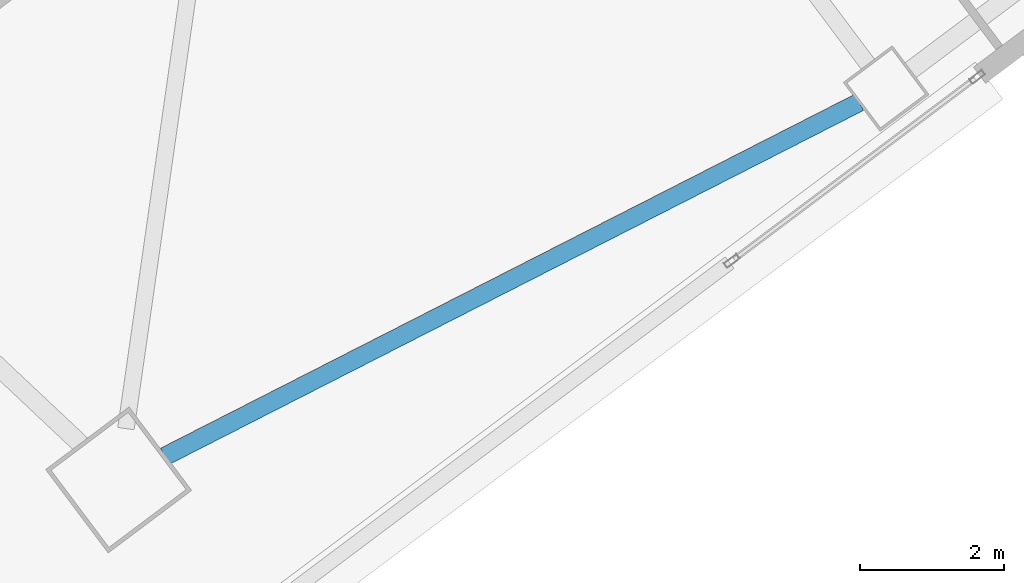
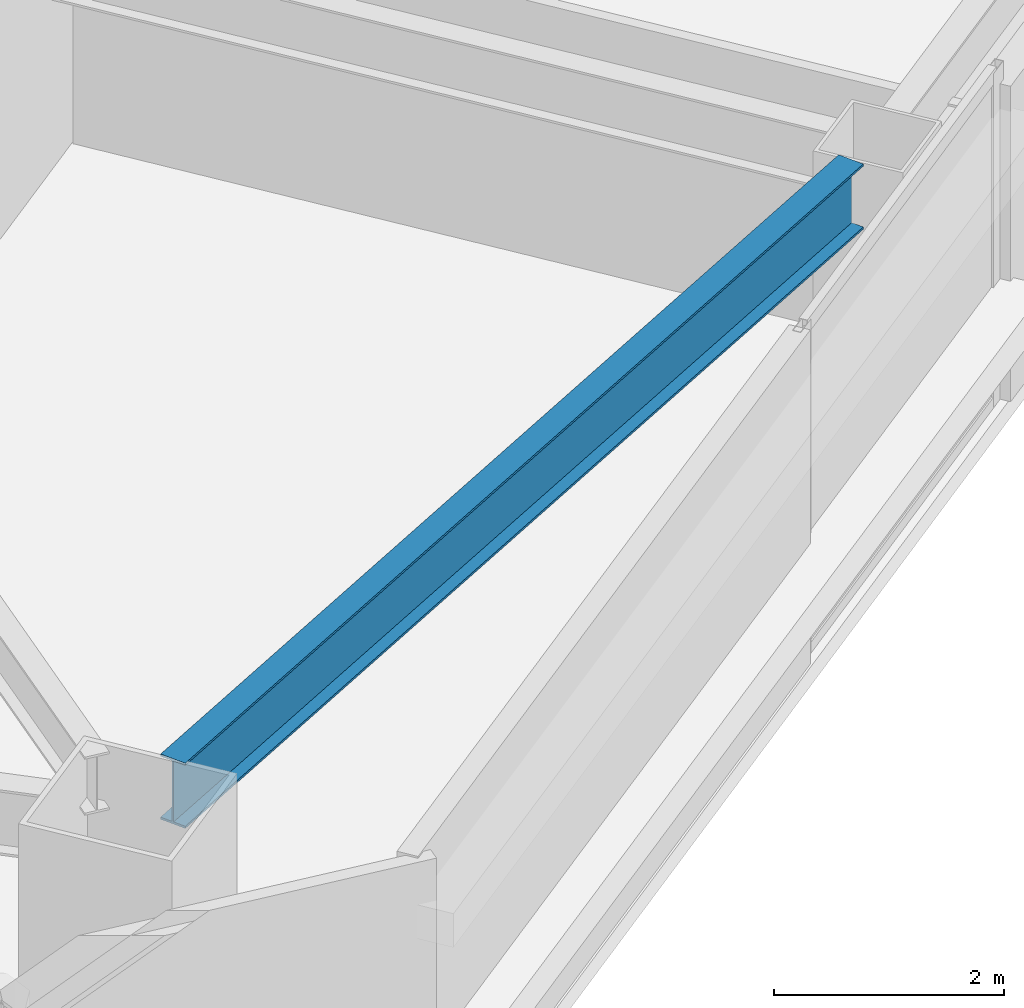
# One storey, part 21 of 48: 1 beam.
"""IFC4 building model written with IfcOpenShell, lengths in metres."""

import ifcopenshell
import ifcopenshell.guid

model = None  # the IFC model being written
_history = None  # IfcOwnerHistory: only IFC2X3 demands one
_inside = {}  # id of a spatial element -> (the spatial element, [elements in it])
_under = {}  # id of a project, library or spatial element -> (it, [spatial elements below it])
_declared = {}  # id of a project -> (the project, [libraries it declares])
_typed = {}  # id of a type object -> (the type object, [elements of that type])
_made_of = {}  # id of a material, layer set ... -> (it, [elements and type objects made of it])


def new_model(schema):
    """Start an empty IFC model of exactly this schema.

    Asked for "IFC4X3", IfcOpenShell would pick the latest addendum, in which some entities
    have other attributes; the version numbers below select the first issue.
    IFC2X3 requires an IfcOwnerHistory on every rooted entity: one is made here for all.
    """
    global model, _history
    if schema == "IFC4X3":
        model = ifcopenshell.file(schema_version=(4, 3, 0, 0))
    else:
        model = ifcopenshell.file(schema=schema)
    _inside.clear()
    _under.clear()
    _declared.clear()
    _typed.clear()
    _made_of.clear()
    _history = None
    if model.schema == "IFC2X3":
        org = make("IfcOrganization", Name="unknown")
        user = make(
            "IfcPersonAndOrganization",
            ThePerson=make("IfcPerson", FamilyName="unknown"),
            TheOrganization=org,
        )
        app = make(
            "IfcApplication",
            ApplicationDeveloper=org,
            Version="unknown",
            ApplicationFullName="unknown",
            ApplicationIdentifier="unknown",
        )
        _history = make(
            "IfcOwnerHistory",
            OwningUser=user,
            OwningApplication=app,
            ChangeAction="ADDED",
            CreationDate=0,
        )
    return model


def make(cls, **values):
    """One entity of the class cls with the attributes given. An attribute that is None is left unset."""
    return model.create_entity(
        cls, **{name: value for name, value in values.items() if value is not None}
    )


def rooted(cls, **values):
    """An entity with a GlobalId (a new one), such as an element, a storey or a relation."""
    return make(cls, GlobalId=ifcopenshell.guid.new(), OwnerHistory=_history, **values)


def si_unit(unit_type, name, prefix=None):
    """IfcSIUnit, for example si_unit("LENGTHUNIT", "METRE", prefix="MILLI")."""
    return make("IfcSIUnit", UnitType=unit_type, Prefix=prefix, Name=name)


def assignment(units):
    """IfcUnitAssignment: the units of a project."""
    return None if units is None else make("IfcUnitAssignment", Units=units)


def point(xyz):
    """IfcCartesianPoint."""
    return None if xyz is None else make("IfcCartesianPoint", Coordinates=xyz)


def direction(xyz):
    """IfcDirection."""
    return None if xyz is None else make("IfcDirection", DirectionRatios=xyz)


def frame(location, z_axis=None, x_axis=None):
    """IfcAxis2Placement3D, a coordinate frame: its origin and axes. An axis left out is left unset."""
    return make(
        "IfcAxis2Placement3D",
        Location=point(location),
        Axis=direction(z_axis),
        RefDirection=direction(x_axis),
    )


def frame_2d(location, x_axis=None):
    """IfcAxis2Placement2D, a coordinate frame in the plane: its origin and x axis."""
    return make(
        "IfcAxis2Placement2D", Location=point(location), RefDirection=direction(x_axis)
    )


def origin():
    """The frame at (0, 0, 0) with its axes left unset."""
    return frame((0.0, 0.0, 0.0))


def origin_2d():
    """The frame at (0, 0) in the plane with its x axis left unset."""
    return frame_2d((0.0, 0.0))


def place(relative_to, where):
    """IfcLocalPlacement: puts the frame where relative to a parent placement (None: the world)."""
    return make(
        "IfcLocalPlacement", PlacementRelTo=relative_to, RelativePlacement=where
    )


def context(
    kind, dimensions, precision=None, world=None, true_north=None, identifier=None
):
    """IfcGeometricRepresentationContext, for example the 3D "Model" context."""
    return make(
        "IfcGeometricRepresentationContext",
        ContextIdentifier=identifier,
        ContextType=kind,
        CoordinateSpaceDimension=dimensions,
        Precision=precision,
        WorldCoordinateSystem=world,
        TrueNorth=true_north,
    )


def subcontext(parent, identifier, kind, view, scale=None):
    """IfcGeometricRepresentationSubContext, for example "Body" below "Model"."""
    return make(
        "IfcGeometricRepresentationSubContext",
        ContextIdentifier=identifier,
        ContextType=kind,
        ParentContext=parent,
        TargetScale=scale,
        TargetView=view,
    )


def project(units=None, contexts=None):
    """IfcProject with its units and contexts."""
    return rooted(
        "IfcProject",
        Name="project",
        RepresentationContexts=contexts,
        UnitsInContext=assignment(units),
    )


def spatial(cls, under=None, at=None, **own):
    """A site, building, storey or space (cls), placed at a placement, below another one or the project."""
    s = rooted(cls, ObjectPlacement=at, **own)
    if under is not None:
        _under.setdefault(under.id(), (under, []))[1].append(s)
    return s


def profile(cls, at=None, kind="AREA", **sizes):
    """A parametric profile (cls). Its sizes go by their IFC names, for example OverallWidth=200.0."""
    return make(cls, ProfileType=kind, Position=at, **sizes)


def i_section(**sizes):
    """IfcIShapeProfileDef."""
    return profile("IfcIShapeProfileDef", **sizes)


def extrude(swept, where, along, depth):
    """IfcExtrudedAreaSolid: the profile swept, set in the frame where, extruded along a direction by depth."""
    return make(
        "IfcExtrudedAreaSolid",
        SweptArea=swept,
        Position=where,
        ExtrudedDirection=direction(along),
        Depth=depth,
    )


def shape(context_of_items, identifier, shape_type, items):
    """IfcShapeRepresentation: the items that make up one representation, for example the "Body"."""
    return make(
        "IfcShapeRepresentation",
        ContextOfItems=context_of_items,
        RepresentationIdentifier=identifier,
        RepresentationType=shape_type,
        Items=items,
    )


def material(Name=None, Category=None):
    """IfcMaterial."""
    return make("IfcMaterial", Name=Name, Category=Category)


def material_profile(
    of_material, cross_section, Name=None, Category=None, Priority=None
):
    """IfcMaterialProfile: a cross section and its material."""
    return make(
        "IfcMaterialProfile",
        Name=Name,
        Material=of_material,
        Profile=cross_section,
        Priority=Priority,
        Category=Category,
    )


def profile_set(profiles, Name=None, composite=None):
    """IfcMaterialProfileSet."""
    return make(
        "IfcMaterialProfileSet",
        Name=Name,
        MaterialProfiles=profiles,
        CompositeProfile=composite,
    )


def made_of(thing, what):
    """Note that an element or type object is made of a material, layer set ...; save() writes the relation."""
    if what is not None:
        _made_of.setdefault(what.id(), (what, []))[1].append(thing)
    return thing


def type_object(cls, material=None, **own):
    """A type object (cls), such as IfcWallType, which elements share."""
    return made_of(rooted(cls, **own), material)


def element(
    cls,
    number,
    at=None,
    inside=None,
    cuts=None,
    type_object=None,
    material=None,
    context=None,
    identifier="Body",
    shape_type=None,
    held_by="IfcProductDefinitionShape",
    body=None,
    shapes=None,
    **own,
):
    """One element of the class cls, such as IfcWall. Its Tag is "e" and its number.

    at: its placement. inside: the storey or other place that contains it. cuts: it is an
    opening in that element (IfcRelVoidsElement). A single representation is given by context,
    identifier, shape_type and body (its items); several are given by shapes. held_by: the class
    of the entity that holds the representations. save() writes the other relations.
    """
    e = rooted(cls, Tag="e%d" % number, ObjectPlacement=at, **own)
    if body is not None:
        shapes = [shape(context, identifier, shape_type, body)]
    if shapes is not None:
        e.Representation = make(held_by, Representations=shapes)
    if inside is not None:
        _inside.setdefault(inside.id(), (inside, []))[1].append(e)
    if cuts is not None:
        rooted(
            "IfcRelVoidsElement", RelatingBuildingElement=cuts, RelatedOpeningElement=e
        )
    if type_object is not None:
        _typed.setdefault(type_object.id(), (type_object, []))[1].append(e)
    return made_of(e, material)


def aggregate(whole, parts):
    """IfcRelAggregates: a whole, such as a stair, and the parts it consists of."""
    return rooted("IfcRelAggregates", RelatingObject=whole, RelatedObjects=parts)


def save(model, path):
    """Write the relations noted so far, then the file.

    IfcRelAggregates (storeys below a building ...), IfcRelContainedInSpatialStructure (elements
    in a storey), IfcRelDefinesByType, IfcRelAssociatesMaterial and IfcRelDeclares: one each for
    every whole, place, type object, material and project.
    """
    for whole, parts in _under.values():
        aggregate(whole, parts)
    for where, things in _inside.values():
        rooted(
            "IfcRelContainedInSpatialStructure",
            RelatedElements=things,
            RelatingStructure=where,
        )
    for kind, things in _typed.values():
        rooted("IfcRelDefinesByType", RelatedObjects=things, RelatingType=kind)
    for what, things in _made_of.values():
        rooted("IfcRelAssociatesMaterial", RelatedObjects=things, RelatingMaterial=what)
    for by, libraries in _declared.values():
        rooted("IfcRelDeclares", RelatingContext=by, RelatedDefinitions=libraries)
    model.write(path)


model = new_model("IFC4")

# Units and contexts
model_context = context("Model", 3, precision=1e-05, world=origin(), true_north=direction((0.0, 1.0)))
body_context = subcontext(model_context, "Body", "Model", "MODEL_VIEW")
ifc_project = project(units=[si_unit("LENGTHUNIT", "METRE"), si_unit("AREAUNIT", "SQUARE_METRE"), si_unit("VOLUMEUNIT", "CUBIC_METRE"), si_unit("PLANEANGLEUNIT", "RADIAN"), si_unit("MASSUNIT", "GRAM", prefix="KILO")], contexts=[model_context])

# Site, building, storey
site_placement = place(None, origin())
site = spatial("IfcSite", under=ifc_project, at=site_placement, CompositionType="ELEMENT")
building_placement = place(site_placement, origin())
building = spatial("IfcBuilding", under=site, at=building_placement, Name="Tashvorn Skyway Center", CompositionType="ELEMENT")
storey_placement = place(building_placement, frame((0.0, 0.0, 77.85009765625)))
storey = spatial("IfcBuildingStorey", under=building, at=storey_placement, Name="L20", CompositionType="ELEMENT", Elevation=77.85009765625)

# Beam
ifc_material = material(Name="Steel ASTM A992 Grade 50", Category="steel")
ifc_material_profile = material_profile(ifc_material, i_section(OverallWidth=0.256103515625, OverallDepth=0.693115234375, WebThickness=0.014404296875, FlangeThickness=0.023681640625, at=origin_2d()), Name="W27X114")
ifc_profile_set = profile_set([ifc_material_profile], Name="Steel ASTM A992 Grade 50")
beam_type = type_object("IfcBeamType", Name="BM-SPANDREL-W27X114", PredefinedType="SPANDREL", material=ifc_profile_set)
beam_placement = place(storey_placement, frame((111.201416015625, 8.2470703125, 3.00341796875), z_axis=(0.890894170442, 0.454210938961, 0.0), x_axis=(-0.454210938961, 0.890894170442, 0.0)))
element("IfcBeam", 1, at=beam_placement, inside=storey, type_object=beam_type, Name="Tower 2 L20 Spandrel Beam 01", PredefinedType="SPANDREL", context=body_context, shape_type="SweptSolid", body=[
    extrude(i_section(OverallWidth=0.256103515625, OverallDepth=0.693115234375, WebThickness=0.014404296875, FlangeThickness=0.023681640625, at=origin_2d()), origin(), (0.0, 0.0, 1.0), 10.836669921875),
])

save(model, "model.ifc")
